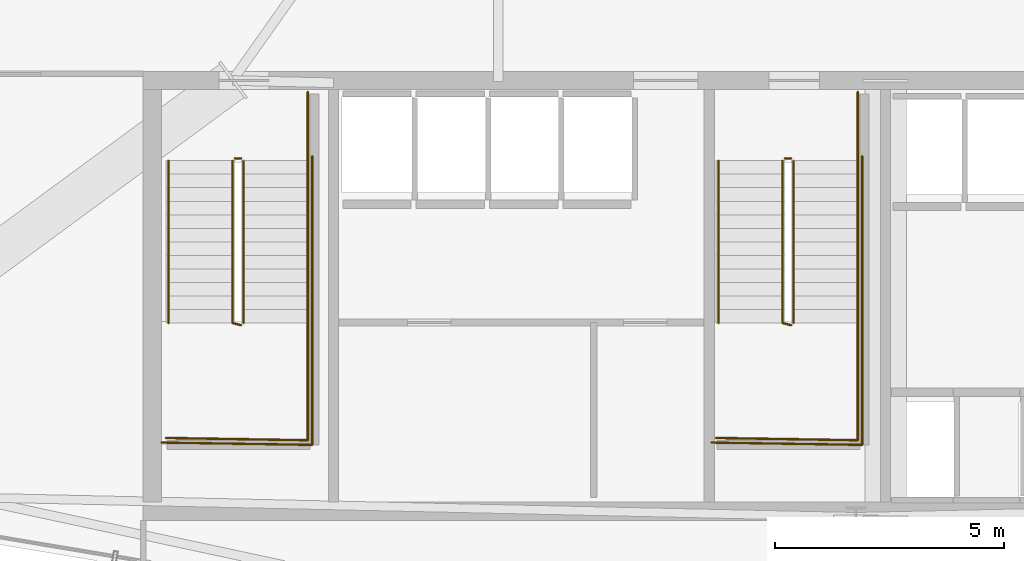
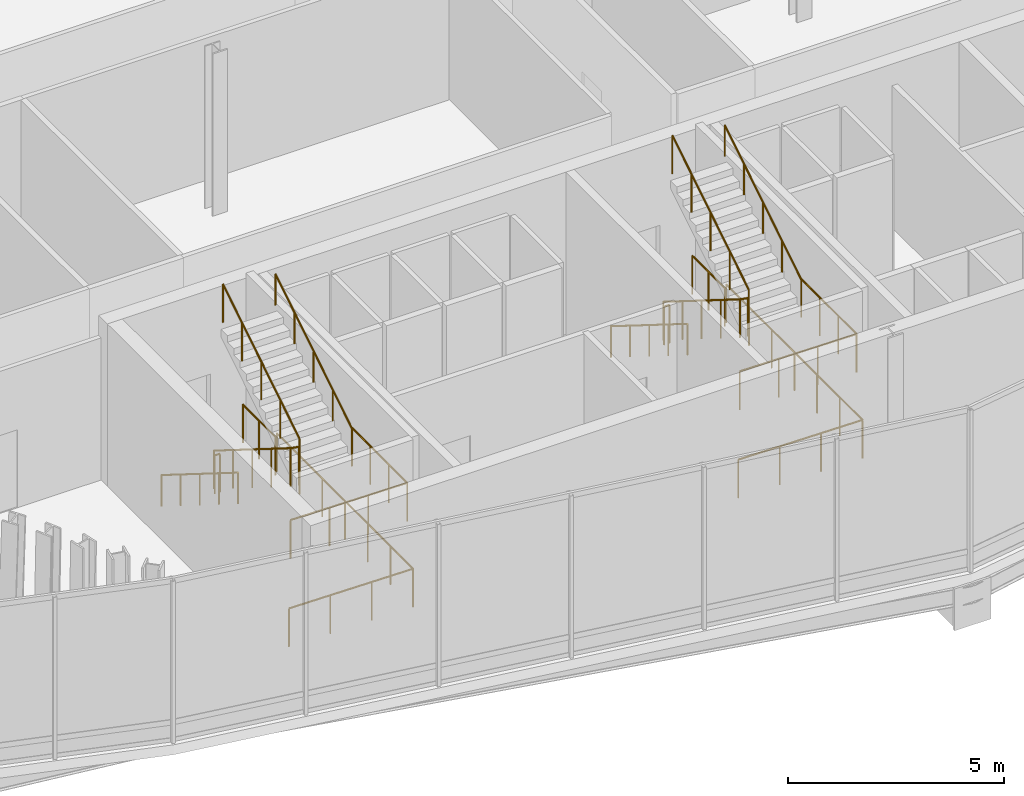
# One storey, part 26 of 28: 16 railings.
"""IFC4 building model written with IfcOpenShell, lengths in metres."""

from ifc_helpers import new_model, si_unit, direction, frame, origin, origin_2d, place, context, subcontext, project, spatial, circle, extrude, material, layer, layer_set, type_object, element, save


model = new_model("IFC4")

# Units and contexts
model_context = context("Model", 3, precision=1e-05, world=origin(), true_north=direction((0.0, 1.0)))
body_context = subcontext(model_context, "Body", "Model", "MODEL_VIEW")
ifc_project = project(units=[si_unit("LENGTHUNIT", "METRE"), si_unit("AREAUNIT", "SQUARE_METRE"), si_unit("VOLUMEUNIT", "CUBIC_METRE"), si_unit("PLANEANGLEUNIT", "RADIAN"), si_unit("MASSUNIT", "GRAM", prefix="KILO")], contexts=[model_context])

# Site, building, storey
site_placement = place(None, origin())
site = spatial("IfcSite", under=ifc_project, at=site_placement, CompositionType="ELEMENT")
building_placement = place(site_placement, origin())
building = spatial("IfcBuilding", under=site, at=building_placement, Name="Ndaravel Arena Tower", CompositionType="ELEMENT")
storey_placement = place(building_placement, frame((0.0, 0.0, 213.199951171875)))
storey = spatial("IfcBuildingStorey", under=building, at=storey_placement, Name="L51", CompositionType="ELEMENT", Elevation=213.199951171875)

# Railings
ifc_material_1 = material(Name="Steel S355", Category="steel")
ifc_layer_1 = layer(ifc_material_1, 0.06005859375)
ifc_layer_set_1 = layer_set([ifc_layer_1], Name="Steel S355")
railing_type_1 = type_object("IfcRailingType", Name="RAIL-STAIR-GD1100", PredefinedType="GUARDRAIL", material=ifc_layer_set_1)
railing_1_placement = place(storey_placement, frame((28.39990234375, 13.25, 0.1845703125)))
element("IfcRailing", 1, at=railing_1_placement, inside=storey, type_object=railing_type_1, Name="L51 ST-1 stair guard 1", PredefinedType="GUARDRAIL", context=body_context, shape_type="SweptSolid", body=[
    extrude(circle(Radius=0.02392578125, at=origin_2d()), frame((0.0, 0.0, 1.076171875), z_axis=(0.0, -0.847669714335, 0.530524321213), x_axis=(1.0, 0.0, 0.0)), (0.0, 0.0, 1.0), 4.17626953125),
    extrude(circle(Radius=0.02392578125, at=origin_2d()), frame((0.0, -3.5400390625, 3.29150390625), z_axis=(0.967074537263, -0.25449329928, 0.0), x_axis=(0.25449329928, 0.967074537263, 0.0)), (0.0, 0.0, 1.0), 0.19677734375),
    extrude(circle(Radius=0.02099609375, at=origin_2d()), origin(), (0.0, 0.0, 1.0), 1.052001953125),
    extrude(circle(Radius=0.02099609375, at=origin_2d()), frame((0.0, -0.885009765625, 0.553955078125)), (0.0, 0.0, 1.0), 1.052001953125),
    extrude(circle(Radius=0.02099609375, at=origin_2d()), frame((0.0, -1.77001953125, 1.10791015625)), (0.0, 0.0, 1.0), 1.052001953125),
    extrude(circle(Radius=0.02099609375, at=origin_2d()), frame((0.0, -2.655029296875, 1.66162109375)), (0.0, 0.0, 1.0), 1.052001953125),
    extrude(circle(Radius=0.02099609375, at=origin_2d()), frame((0.0, -3.5400390625, 2.215576171875)), (0.0, 0.0, 1.0), 1.052001953125),
    extrude(circle(Radius=0.02099609375, at=origin_2d()), frame((0.190185546875, -3.590087890625, 2.215576171875)), (0.0, 0.0, 1.0), 1.052001953125),
])
railing_2_placement = place(storey_placement, frame((30.0400390625, 9.7099609375, 2.400146484375)))
element("IfcRailing", 2, at=railing_2_placement, inside=storey, type_object=railing_type_1, Name="L51 ST-1 stair guard 2", PredefinedType="GUARDRAIL", context=body_context, shape_type="SweptSolid", body=[
    extrude(circle(Radius=0.02392578125, at=origin_2d()), frame((0.0, 0.0, 1.076171875), z_axis=(0.0, -1.0, 0.0), x_axis=(1.0, 0.0, 0.0)), (0.0, 0.0, 1.0), 2.56005859375),
    extrude(circle(Radius=0.02392578125, at=origin_2d()), frame((0.0, -2.56005859375, 1.076171875), z_axis=(-0.999868861343, 0.016194447071, 0.0), x_axis=(-0.016194447071, -0.999868861343, 0.0)), (0.0, 0.0, 1.0), 3.090576171875),
    extrude(circle(Radius=0.02099609375, at=origin_2d()), origin(), (0.0, 0.0, 1.0), 1.052001953125),
    extrude(circle(Radius=0.02099609375, at=origin_2d()), frame((0.0, -0.853271484375, 0.0)), (0.0, 0.0, 1.0), 1.052001953125),
    extrude(circle(Radius=0.02099609375, at=origin_2d()), frame((0.0, -1.706787109375, 0.0)), (0.0, 0.0, 1.0), 1.052001953125),
    extrude(circle(Radius=0.02099609375, at=origin_2d()), frame((0.0, -2.56005859375, 0.0)), (0.0, 0.0, 1.0), 1.052001953125),
    extrude(circle(Radius=0.02099609375, at=origin_2d()), frame((-1.030029296875, -2.54345703125, 0.0)), (0.0, 0.0, 1.0), 1.052001953125),
    extrude(circle(Radius=0.02099609375, at=origin_2d()), frame((-2.06005859375, -2.526611328125, 0.0)), (0.0, 0.0, 1.0), 1.052001953125),
    extrude(circle(Radius=0.02099609375, at=origin_2d()), frame((-3.090087890625, -2.510009765625, 0.0)), (0.0, 0.0, 1.0), 1.052001953125),
])
railing_3_placement = place(storey_placement, frame((28.639892578125, 9.7099609375, 2.584716796875)))
element("IfcRailing", 3, at=railing_3_placement, inside=storey, type_object=railing_type_1, Name="L51 ST-1 stair guard 3", PredefinedType="GUARDRAIL", context=body_context, shape_type="SweptSolid", body=[
    extrude(circle(Radius=0.02392578125, at=origin_2d()), frame((0.0, 0.0, 1.076171875), z_axis=(0.0, 0.847696004112, 0.530482313194), x_axis=(-1.0, 0.0, 0.0)), (0.0, 0.0, 1.0), 4.176025390625),
    extrude(circle(Radius=0.02099609375, at=origin_2d()), origin(), (0.0, 0.0, 1.0), 1.052001953125),
    extrude(circle(Radius=0.02099609375, at=origin_2d()), frame((0.0, 0.885009765625, 0.5537109375)), (0.0, 0.0, 1.0), 1.052001953125),
    extrude(circle(Radius=0.02099609375, at=origin_2d()), frame((0.0, 1.77001953125, 1.107666015625)), (0.0, 0.0, 1.0), 1.052001953125),
    extrude(circle(Radius=0.02099609375, at=origin_2d()), frame((0.0, 2.655029296875, 1.66162109375)), (0.0, 0.0, 1.0), 1.052001953125),
    extrude(circle(Radius=0.02099609375, at=origin_2d()), frame((0.0, 3.5400390625, 2.21533203125)), (0.0, 0.0, 1.0), 1.052001953125),
])
railing_4_placement = place(storey_placement, frame((28.449951171875, 13.300048828125, 0.0)))
element("IfcRailing", 4, at=railing_4_placement, inside=storey, type_object=railing_type_1, Name="L51 ST-1 stair guard 4", PredefinedType="GUARDRAIL", context=body_context, shape_type="SweptSolid", body=[
    extrude(circle(Radius=0.02392578125, at=origin_2d()), frame((0.0, 0.0, 1.076171875), z_axis=(1.0, 0.0, 0.0), x_axis=(0.0, 1.0, 0.0)), (0.0, 0.0, 1.0), 0.14013671875),
    extrude(circle(Radius=0.02099609375, at=origin_2d()), origin(), (0.0, 0.0, 1.0), 1.052001953125),
    extrude(circle(Radius=0.02099609375, at=origin_2d()), frame((0.14013671875, 0.0, 0.0)), (0.0, 0.0, 1.0), 1.052001953125),
])
railing_5_placement = place(storey_placement, frame((30.0400390625, 14.75, 0.0)))
element("IfcRailing", 5, at=railing_5_placement, inside=storey, type_object=railing_type_1, Name="L51 ST-1 stair guard 5", PredefinedType="GUARDRAIL", context=body_context, shape_type="SweptSolid", body=[
    extrude(circle(Radius=0.02392578125, at=origin_2d()), frame((0.0, 0.0, 1.076171875), z_axis=(0.0, -1.0, 0.0), x_axis=(1.0, 0.0, 0.0)), (0.0, 0.0, 1.0), 1.5),
    extrude(circle(Radius=0.02099609375, at=origin_2d()), origin(), (0.0, 0.0, 1.0), 1.052001953125),
    extrude(circle(Radius=0.02099609375, at=origin_2d()), frame((0.0, -0.75, 0.0)), (0.0, 0.0, 1.0), 1.052001953125),
    extrude(circle(Radius=0.02099609375, at=origin_2d()), frame((0.0, -1.5, 0.0)), (0.0, 0.0, 1.0), 1.052001953125),
])
railing_6_placement = place(storey_placement, frame((30.139892578125, 13.35009765625, 0.0)))
element("IfcRailing", 6, at=railing_6_placement, inside=storey, type_object=railing_type_1, Name="L51 ST-1 stair guard 6", PredefinedType="GUARDRAIL", context=body_context, shape_type="SweptSolid", body=[
    extrude(circle(Radius=0.02392578125, at=origin_2d()), frame((0.0, 0.0, 1.076171875), z_axis=(0.0, -1.0, 0.0), x_axis=(1.0, 0.0, 0.0)), (0.0, 0.0, 1.0), 6.300048828125),
    extrude(circle(Radius=0.02392578125, at=origin_2d()), frame((0.0, -6.300048828125, 1.076171875), z_axis=(-0.999884296952, 0.015211597839, 0.0), x_axis=(-0.015211597839, -0.999884296952, 0.0)), (0.0, 0.0, 1.0), 3.290283203125),
    extrude(circle(Radius=0.02099609375, at=origin_2d()), origin(), (0.0, 0.0, 1.0), 1.052001953125),
    extrude(circle(Radius=0.02099609375, at=origin_2d()), frame((0.0, -1.050048828125, 0.0)), (0.0, 0.0, 1.0), 1.052001953125),
    extrude(circle(Radius=0.02099609375, at=origin_2d()), frame((0.0, -2.10009765625, 0.0)), (0.0, 0.0, 1.0), 1.052001953125),
    extrude(circle(Radius=0.02099609375, at=origin_2d()), frame((0.0, -3.14990234375, 0.0)), (0.0, 0.0, 1.0), 1.052001953125),
    extrude(circle(Radius=0.02099609375, at=origin_2d()), frame((0.0, -4.199951171875, 0.0)), (0.0, 0.0, 1.0), 1.052001953125),
    extrude(circle(Radius=0.02099609375, at=origin_2d()), frame((0.0, -5.25, 0.0)), (0.0, 0.0, 1.0), 1.052001953125),
    extrude(circle(Radius=0.02099609375, at=origin_2d()), frame((0.0, -6.300048828125, 0.0)), (0.0, 0.0, 1.0), 1.052001953125),
    extrude(circle(Radius=0.02099609375, at=origin_2d()), frame((-1.0966796875, -6.283447265625, 0.0)), (0.0, 0.0, 1.0), 1.052001953125),
    extrude(circle(Radius=0.02099609375, at=origin_2d()), frame((-2.193115234375, -6.2666015625, 0.0)), (0.0, 0.0, 1.0), 1.052001953125),
    extrude(circle(Radius=0.02099609375, at=origin_2d()), frame((-3.289794921875, -6.25, 0.0)), (0.0, 0.0, 1.0), 1.052001953125),
])
railing_7_placement = place(storey_placement, frame((40.39990234375, 13.25, 0.1845703125)))
element("IfcRailing", 7, at=railing_7_placement, inside=storey, type_object=railing_type_1, Name="L51 ST-2 stair guard 1", PredefinedType="GUARDRAIL", context=body_context, shape_type="SweptSolid", body=[
    extrude(circle(Radius=0.02392578125, at=origin_2d()), frame((0.0, 0.0, 1.076171875), z_axis=(0.0, -0.847669714335, 0.530524321213), x_axis=(1.0, 0.0, 0.0)), (0.0, 0.0, 1.0), 4.17626953125),
    extrude(circle(Radius=0.02392578125, at=origin_2d()), frame((0.0, -3.5400390625, 3.29150390625), z_axis=(0.967074537263, -0.25449329928, 0.0), x_axis=(0.25449329928, 0.967074537263, 0.0)), (0.0, 0.0, 1.0), 0.19677734375),
    extrude(circle(Radius=0.02099609375, at=origin_2d()), origin(), (0.0, 0.0, 1.0), 1.052001953125),
    extrude(circle(Radius=0.02099609375, at=origin_2d()), frame((0.0, -0.885009765625, 0.553955078125)), (0.0, 0.0, 1.0), 1.052001953125),
    extrude(circle(Radius=0.02099609375, at=origin_2d()), frame((0.0, -1.77001953125, 1.10791015625)), (0.0, 0.0, 1.0), 1.052001953125),
    extrude(circle(Radius=0.02099609375, at=origin_2d()), frame((0.0, -2.655029296875, 1.66162109375)), (0.0, 0.0, 1.0), 1.052001953125),
    extrude(circle(Radius=0.02099609375, at=origin_2d()), frame((0.0, -3.5400390625, 2.215576171875)), (0.0, 0.0, 1.0), 1.052001953125),
    extrude(circle(Radius=0.02099609375, at=origin_2d()), frame((0.190185546875, -3.590087890625, 2.215576171875)), (0.0, 0.0, 1.0), 1.052001953125),
])
railing_8_placement = place(storey_placement, frame((42.0400390625, 9.7099609375, 2.400146484375)))
element("IfcRailing", 8, at=railing_8_placement, inside=storey, type_object=railing_type_1, Name="L51 ST-2 stair guard 2", PredefinedType="GUARDRAIL", context=body_context, shape_type="SweptSolid", body=[
    extrude(circle(Radius=0.02392578125, at=origin_2d()), frame((0.0, 0.0, 1.076171875), z_axis=(0.0, -1.0, 0.0), x_axis=(1.0, 0.0, 0.0)), (0.0, 0.0, 1.0), 2.56005859375),
    extrude(circle(Radius=0.02392578125, at=origin_2d()), frame((0.0, -2.56005859375, 1.076171875), z_axis=(-0.999868861343, 0.016194447071, 0.0), x_axis=(-0.016194447071, -0.999868861343, 0.0)), (0.0, 0.0, 1.0), 3.090576171875),
    extrude(circle(Radius=0.02099609375, at=origin_2d()), origin(), (0.0, 0.0, 1.0), 1.052001953125),
    extrude(circle(Radius=0.02099609375, at=origin_2d()), frame((0.0, -0.853271484375, 0.0)), (0.0, 0.0, 1.0), 1.052001953125),
    extrude(circle(Radius=0.02099609375, at=origin_2d()), frame((0.0, -1.706787109375, 0.0)), (0.0, 0.0, 1.0), 1.052001953125),
    extrude(circle(Radius=0.02099609375, at=origin_2d()), frame((0.0, -2.56005859375, 0.0)), (0.0, 0.0, 1.0), 1.052001953125),
    extrude(circle(Radius=0.02099609375, at=origin_2d()), frame((-1.030029296875, -2.54345703125, 0.0)), (0.0, 0.0, 1.0), 1.052001953125),
    extrude(circle(Radius=0.02099609375, at=origin_2d()), frame((-2.06005859375, -2.526611328125, 0.0)), (0.0, 0.0, 1.0), 1.052001953125),
    extrude(circle(Radius=0.02099609375, at=origin_2d()), frame((-3.090087890625, -2.510009765625, 0.0)), (0.0, 0.0, 1.0), 1.052001953125),
])
railing_9_placement = place(storey_placement, frame((40.639892578125, 9.7099609375, 2.584716796875)))
element("IfcRailing", 9, at=railing_9_placement, inside=storey, type_object=railing_type_1, Name="L51 ST-2 stair guard 3", PredefinedType="GUARDRAIL", context=body_context, shape_type="SweptSolid", body=[
    extrude(circle(Radius=0.02392578125, at=origin_2d()), frame((0.0, 0.0, 1.076171875), z_axis=(0.0, 0.847696004112, 0.530482313194), x_axis=(-1.0, 0.0, 0.0)), (0.0, 0.0, 1.0), 4.176025390625),
    extrude(circle(Radius=0.02099609375, at=origin_2d()), origin(), (0.0, 0.0, 1.0), 1.052001953125),
    extrude(circle(Radius=0.02099609375, at=origin_2d()), frame((0.0, 0.885009765625, 0.5537109375)), (0.0, 0.0, 1.0), 1.052001953125),
    extrude(circle(Radius=0.02099609375, at=origin_2d()), frame((0.0, 1.77001953125, 1.107666015625)), (0.0, 0.0, 1.0), 1.052001953125),
    extrude(circle(Radius=0.02099609375, at=origin_2d()), frame((0.0, 2.655029296875, 1.66162109375)), (0.0, 0.0, 1.0), 1.052001953125),
    extrude(circle(Radius=0.02099609375, at=origin_2d()), frame((0.0, 3.5400390625, 2.21533203125)), (0.0, 0.0, 1.0), 1.052001953125),
])
railing_10_placement = place(storey_placement, frame((40.449951171875, 13.300048828125, 0.0)))
element("IfcRailing", 10, at=railing_10_placement, inside=storey, type_object=railing_type_1, Name="L51 ST-2 stair guard 4", PredefinedType="GUARDRAIL", context=body_context, shape_type="SweptSolid", body=[
    extrude(circle(Radius=0.02392578125, at=origin_2d()), frame((0.0, 0.0, 1.076171875), z_axis=(1.0, 0.0, 0.0), x_axis=(0.0, 1.0, 0.0)), (0.0, 0.0, 1.0), 0.14013671875),
    extrude(circle(Radius=0.02099609375, at=origin_2d()), origin(), (0.0, 0.0, 1.0), 1.052001953125),
    extrude(circle(Radius=0.02099609375, at=origin_2d()), frame((0.14013671875, 0.0, 0.0)), (0.0, 0.0, 1.0), 1.052001953125),
])
railing_11_placement = place(storey_placement, frame((42.0400390625, 14.75, 0.0)))
element("IfcRailing", 11, at=railing_11_placement, inside=storey, type_object=railing_type_1, Name="L51 ST-2 stair guard 5", PredefinedType="GUARDRAIL", context=body_context, shape_type="SweptSolid", body=[
    extrude(circle(Radius=0.02392578125, at=origin_2d()), frame((0.0, 0.0, 1.076171875), z_axis=(0.0, -1.0, 0.0), x_axis=(1.0, 0.0, 0.0)), (0.0, 0.0, 1.0), 1.5),
    extrude(circle(Radius=0.02099609375, at=origin_2d()), origin(), (0.0, 0.0, 1.0), 1.052001953125),
    extrude(circle(Radius=0.02099609375, at=origin_2d()), frame((0.0, -0.75, 0.0)), (0.0, 0.0, 1.0), 1.052001953125),
    extrude(circle(Radius=0.02099609375, at=origin_2d()), frame((0.0, -1.5, 0.0)), (0.0, 0.0, 1.0), 1.052001953125),
])
railing_12_placement = place(storey_placement, frame((42.139892578125, 13.35009765625, 0.0)))
element("IfcRailing", 12, at=railing_12_placement, inside=storey, type_object=railing_type_1, Name="L51 ST-2 stair guard 6", PredefinedType="GUARDRAIL", context=body_context, shape_type="SweptSolid", body=[
    extrude(circle(Radius=0.02392578125, at=origin_2d()), frame((0.0, 0.0, 1.076171875), z_axis=(0.0, -1.0, 0.0), x_axis=(1.0, 0.0, 0.0)), (0.0, 0.0, 1.0), 6.300048828125),
    extrude(circle(Radius=0.02392578125, at=origin_2d()), frame((0.0, -6.300048828125, 1.076171875), z_axis=(-0.999884296952, 0.015211597839, 0.0), x_axis=(-0.015211597839, -0.999884296952, 0.0)), (0.0, 0.0, 1.0), 3.290283203125),
    extrude(circle(Radius=0.02099609375, at=origin_2d()), origin(), (0.0, 0.0, 1.0), 1.052001953125),
    extrude(circle(Radius=0.02099609375, at=origin_2d()), frame((0.0, -1.050048828125, 0.0)), (0.0, 0.0, 1.0), 1.052001953125),
    extrude(circle(Radius=0.02099609375, at=origin_2d()), frame((0.0, -2.10009765625, 0.0)), (0.0, 0.0, 1.0), 1.052001953125),
    extrude(circle(Radius=0.02099609375, at=origin_2d()), frame((0.0, -3.14990234375, 0.0)), (0.0, 0.0, 1.0), 1.052001953125),
    extrude(circle(Radius=0.02099609375, at=origin_2d()), frame((0.0, -4.199951171875, 0.0)), (0.0, 0.0, 1.0), 1.052001953125),
    extrude(circle(Radius=0.02099609375, at=origin_2d()), frame((0.0, -5.25, 0.0)), (0.0, 0.0, 1.0), 1.052001953125),
    extrude(circle(Radius=0.02099609375, at=origin_2d()), frame((0.0, -6.300048828125, 0.0)), (0.0, 0.0, 1.0), 1.052001953125),
    extrude(circle(Radius=0.02099609375, at=origin_2d()), frame((-1.0966796875, -6.283447265625, 0.0)), (0.0, 0.0, 1.0), 1.052001953125),
    extrude(circle(Radius=0.02099609375, at=origin_2d()), frame((-2.193115234375, -6.2666015625, 0.0)), (0.0, 0.0, 1.0), 1.052001953125),
    extrude(circle(Radius=0.02099609375, at=origin_2d()), frame((-3.289794921875, -6.25, 0.0)), (0.0, 0.0, 1.0), 1.052001953125),
])
ifc_material_2 = material(Name="Steel S355", Category="steel")
ifc_layer_2 = layer(ifc_material_2, 0.050048828125)
ifc_layer_set_2 = layer_set([ifc_layer_2], Name="Steel S355")
railing_type_2 = type_object("IfcRailingType", Name="RAIL-STAIR-HR920", PredefinedType="HANDRAIL", material=ifc_layer_set_2)
railing_13_placement = place(storey_placement, frame((27.0, 13.25, 0.1845703125)))
element("IfcRailing", 13, at=railing_13_placement, inside=storey, type_object=railing_type_2, Name="L51 ST-1 stair handrail 1", PredefinedType="HANDRAIL", context=body_context, shape_type="SweptSolid", body=[
    extrude(circle(Radius=0.02392578125, at=origin_2d()), frame((0.0, 0.0, 0.8759765625), z_axis=(0.0, -0.847669714335, 0.530524321213), x_axis=(1.0, 0.0, 0.0)), (0.0, 0.0, 1.0), 4.17626953125),
    extrude(circle(Radius=0.02099609375, at=origin_2d()), origin(), (0.0, 0.0, 1.0), 0.851806640625),
    extrude(circle(Radius=0.02099609375, at=origin_2d()), frame((0.0, -0.885009765625, 0.553955078125)), (0.0, 0.0, 1.0), 0.851806640625),
    extrude(circle(Radius=0.02099609375, at=origin_2d()), frame((0.0, -1.77001953125, 1.10791015625)), (0.0, 0.0, 1.0), 0.851806640625),
    extrude(circle(Radius=0.02099609375, at=origin_2d()), frame((0.0, -2.655029296875, 1.66162109375)), (0.0, 0.0, 1.0), 0.851806640625),
    extrude(circle(Radius=0.02099609375, at=origin_2d()), frame((0.0, -3.5400390625, 2.215576171875)), (0.0, 0.0, 1.0), 0.851806640625),
])
railing_14_placement = place(storey_placement, frame((30.0400390625, 9.7099609375, 2.584716796875)))
element("IfcRailing", 14, at=railing_14_placement, inside=storey, type_object=railing_type_2, Name="L51 ST-1 stair handrail 2", PredefinedType="HANDRAIL", context=body_context, shape_type="SweptSolid", body=[
    extrude(circle(Radius=0.02392578125, at=origin_2d()), frame((0.0, 0.0, 0.8759765625), z_axis=(0.0, 0.847696004112, 0.530482313194), x_axis=(-1.0, 0.0, 0.0)), (0.0, 0.0, 1.0), 4.176025390625),
    extrude(circle(Radius=0.02099609375, at=origin_2d()), origin(), (0.0, 0.0, 1.0), 0.851806640625),
    extrude(circle(Radius=0.02099609375, at=origin_2d()), frame((0.0, 0.885009765625, 0.5537109375)), (0.0, 0.0, 1.0), 0.851806640625),
    extrude(circle(Radius=0.02099609375, at=origin_2d()), frame((0.0, 1.77001953125, 1.107666015625)), (0.0, 0.0, 1.0), 0.851806640625),
    extrude(circle(Radius=0.02099609375, at=origin_2d()), frame((0.0, 2.655029296875, 1.66162109375)), (0.0, 0.0, 1.0), 0.851806640625),
    extrude(circle(Radius=0.02099609375, at=origin_2d()), frame((0.0, 3.5400390625, 2.21533203125)), (0.0, 0.0, 1.0), 0.851806640625),
])
railing_15_placement = place(storey_placement, frame((39.0, 13.25, 0.1845703125)))
element("IfcRailing", 15, at=railing_15_placement, inside=storey, type_object=railing_type_2, Name="L51 ST-2 stair handrail 1", PredefinedType="HANDRAIL", context=body_context, shape_type="SweptSolid", body=[
    extrude(circle(Radius=0.02392578125, at=origin_2d()), frame((0.0, 0.0, 0.8759765625), z_axis=(0.0, -0.847669714335, 0.530524321213), x_axis=(1.0, 0.0, 0.0)), (0.0, 0.0, 1.0), 4.17626953125),
    extrude(circle(Radius=0.02099609375, at=origin_2d()), origin(), (0.0, 0.0, 1.0), 0.851806640625),
    extrude(circle(Radius=0.02099609375, at=origin_2d()), frame((0.0, -0.885009765625, 0.553955078125)), (0.0, 0.0, 1.0), 0.851806640625),
    extrude(circle(Radius=0.02099609375, at=origin_2d()), frame((0.0, -1.77001953125, 1.10791015625)), (0.0, 0.0, 1.0), 0.851806640625),
    extrude(circle(Radius=0.02099609375, at=origin_2d()), frame((0.0, -2.655029296875, 1.66162109375)), (0.0, 0.0, 1.0), 0.851806640625),
    extrude(circle(Radius=0.02099609375, at=origin_2d()), frame((0.0, -3.5400390625, 2.215576171875)), (0.0, 0.0, 1.0), 0.851806640625),
])
railing_16_placement = place(storey_placement, frame((42.0400390625, 9.7099609375, 2.584716796875)))
element("IfcRailing", 16, at=railing_16_placement, inside=storey, type_object=railing_type_2, Name="L51 ST-2 stair handrail 2", PredefinedType="HANDRAIL", context=body_context, shape_type="SweptSolid", body=[
    extrude(circle(Radius=0.02392578125, at=origin_2d()), frame((0.0, 0.0, 0.8759765625), z_axis=(0.0, 0.847696004112, 0.530482313194), x_axis=(-1.0, 0.0, 0.0)), (0.0, 0.0, 1.0), 4.176025390625),
    extrude(circle(Radius=0.02099609375, at=origin_2d()), origin(), (0.0, 0.0, 1.0), 0.851806640625),
    extrude(circle(Radius=0.02099609375, at=origin_2d()), frame((0.0, 0.885009765625, 0.5537109375)), (0.0, 0.0, 1.0), 0.851806640625),
    extrude(circle(Radius=0.02099609375, at=origin_2d()), frame((0.0, 1.77001953125, 1.107666015625)), (0.0, 0.0, 1.0), 0.851806640625),
    extrude(circle(Radius=0.02099609375, at=origin_2d()), frame((0.0, 2.655029296875, 1.66162109375)), (0.0, 0.0, 1.0), 0.851806640625),
    extrude(circle(Radius=0.02099609375, at=origin_2d()), frame((0.0, 3.5400390625, 2.21533203125)), (0.0, 0.0, 1.0), 0.851806640625),
])

save(model, "model.ifc")
